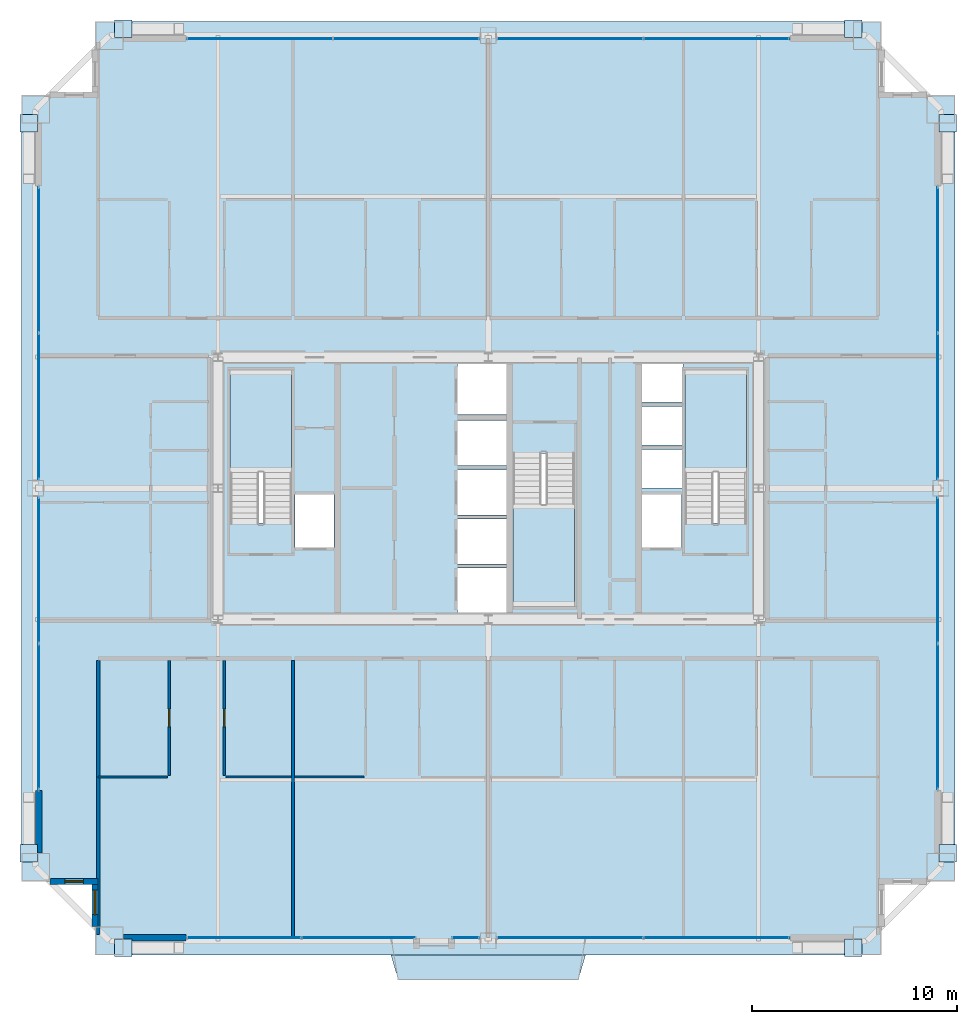
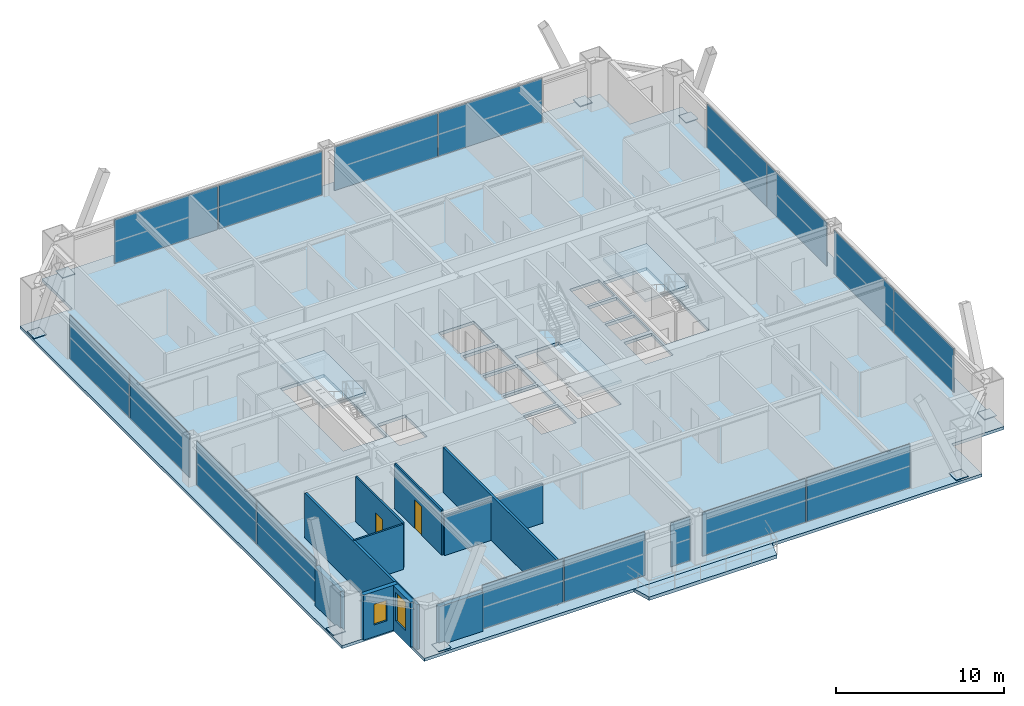
# One storey, part 36 of 42: 25 plates, 11 walls, 5 slabs, 2 doors, 2 windows, 4 openings, 12 elements without a shape of their own.
"""IFC4 building model written with IfcOpenShell, lengths in metres."""

from ifc_helpers import new_model, si_unit, direction, frame, frame_2d, origin, origin_2d, place, context, subcontext, project, spatial, polyline, rectangle, outline, extrude, source, transform, mapped, material, layer, layer_set, type_object, element, fill, aggregate, save


model = new_model("IFC4")

# Units and contexts
model_context = context("Model", 3, precision=1e-05, world=origin(), true_north=direction((0.0, 1.0)))
body_context = subcontext(model_context, "Body", "Model", "MODEL_VIEW")
ifc_project = project(units=[si_unit("LENGTHUNIT", "METRE"), si_unit("AREAUNIT", "SQUARE_METRE"), si_unit("VOLUMEUNIT", "CUBIC_METRE"), si_unit("PLANEANGLEUNIT", "RADIAN"), si_unit("MASSUNIT", "GRAM", prefix="KILO"), si_unit("THERMODYNAMICTEMPERATUREUNIT", "KELVIN"), si_unit("POWERUNIT", "WATT")], contexts=[model_context])

# Site, building, storey
site_placement = place(None, origin())
site = spatial("IfcSite", under=ifc_project, at=site_placement, CompositionType="ELEMENT")
building_placement = place(site_placement, origin())
building = spatial("IfcBuilding", under=site, at=building_placement, Name="Yuzanri Waterfront Tower", CompositionType="ELEMENT")
storey_placement = place(building_placement, frame((0.0, 0.0, 184.5)))
storey = spatial("IfcBuildingStorey", under=building, at=storey_placement, Name="L48", CompositionType="ELEMENT", Elevation=184.5)

# Stair, slab
ifc_material_1 = material(Name="Concrete C40", Category="concrete")
stair_type = type_object("IfcStairType", Name="Concrete C40 Core Dogleg Exit Stair", PredefinedType="HALF_TURN_STAIR", material=ifc_material_1)
stair_1_placement = place(storey_placement, origin())
stair_1 = element("IfcStair", 1, at=stair_1_placement, inside=storey, type_object=stair_type, Name="L48 Smoke-Proof Core Stair ST-01", PredefinedType="HALF_TURN_STAIR")
ifc_material_2 = material(Name="Concrete C40", Category="concrete")
ifc_layer_1 = layer(ifc_material_2, 0.179931640625)
ifc_layer_set_1 = layer_set([ifc_layer_1], Name="Concrete C40")
slab_type_1 = type_object("IfcSlabType", Name="Concrete C40 Stair Half-Landing Slab 180", PredefinedType="LANDING", material=ifc_layer_set_1)
slab_1_placement = place(storey_placement, frame((0.0, 0.0, 1.550048828125)))
slab_1 = element("IfcSlab", 2, at=slab_1_placement, type_object=slab_type_1, Name="ST-01 landing 1", PredefinedType="LANDING", context=body_context, shape_type="SweptSolid", body=[
    extrude(outline(polyline([(27.39990234375, 26.56005859375), (27.39990234375, 31.580078125), (24.39990234375, 31.580078125), (24.39990234375, 26.56005859375), (27.39990234375, 26.56005859375)])), origin(), (0.0, 0.0, 1.0), 0.199951171875),
])
aggregate(stair_1, [slab_1])

stair_2_placement = place(storey_placement, origin())
stair_2 = element("IfcStair", 3, at=stair_2_placement, inside=storey, type_object=stair_type, Name="L48 Smoke-Proof Core Stair ST-02", PredefinedType="HALF_TURN_STAIR")
slab_2_placement = place(storey_placement, frame((0.0, 0.0, 1.550048828125)))
slab_2 = element("IfcSlab", 4, at=slab_2_placement, type_object=slab_type_1, Name="ST-02 landing 1", PredefinedType="LANDING", context=body_context, shape_type="SweptSolid", body=[
    extrude(outline(polyline([(49.60009765625, 26.56005859375), (49.60009765625, 31.580078125), (46.60009765625, 31.580078125), (46.60009765625, 26.56005859375), (49.60009765625, 26.56005859375)])), origin(), (0.0, 0.0, 1.0), 0.199951171875),
])
aggregate(stair_2, [slab_2])

stair_3_placement = place(storey_placement, origin())
stair_3 = element("IfcStair", 5, at=stair_3_placement, inside=storey, type_object=stair_type, Name="L48 Smoke-Proof Core Stair ST-03", PredefinedType="HALF_TURN_STAIR")
slab_3_placement = place(storey_placement, frame((0.0, 0.0, 1.550048828125)))
slab_3 = element("IfcSlab", 6, at=slab_3_placement, type_object=slab_type_1, Name="ST-03 landing 1", PredefinedType="LANDING", context=body_context, shape_type="SweptSolid", body=[
    extrude(outline(polyline([(38.199951171875, 25.0400390625), (38.199951171875, 20.02001953125), (41.199951171875, 20.02001953125), (41.199951171875, 25.0400390625), (38.199951171875, 25.0400390625)])), origin(), (0.0, 0.0, 1.0), 0.199951171875),
])
aggregate(stair_3, [slab_3])

# Slabs
ifc_material_3 = material(Name="Concrete C40", Category="concrete")
ifc_layer_2 = layer(ifc_material_3, 0.25)
ifc_layer_set_2 = layer_set([ifc_layer_2], Name="Concrete C40")
slab_type_2 = type_object("IfcSlabType", Name="Concrete C40 Stepped Gorge Pocket Garden Terrace Slab 250", PredefinedType="FLOOR", material=ifc_layer_set_2)
slab_4_placement = place(storey_placement, frame((0.0, 0.0, -0.25)))
element("IfcSlab", 7, at=slab_4_placement, inside=storey, type_object=slab_type_2, Name="L48 S Cantilevered Engawa Terrace Slab", PredefinedType="FLOOR", context=body_context, shape_type="SweptSolid", body=[
    extrude(outline(polyline([(32.2509765625, 3.0), (41.7490234375, 3.0), (41.39892578125, 1.81201171875), (32.60107421875, 1.81201171875), (32.2509765625, 3.0)])), origin(), (0.0, 0.0, 1.0), 0.25),
])
ifc_material_4 = material(Name="Concrete C40", Category="concrete")
ifc_layer_3 = layer(ifc_material_4, 0.219970703125)
ifc_layer_set_3 = layer_set([ifc_layer_3], Name="Concrete C40")
slab_type_3 = type_object("IfcSlabType", Name="Concrete C40 Tower Typical Structural Floor Slab 220", PredefinedType="FLOOR", material=ifc_layer_set_3)
slab_5_placement = place(storey_placement, frame((0.0, 0.0, -0.219970703125)))
element("IfcSlab", 8, at=slab_5_placement, inside=storey, type_object=slab_type_3, Name="L48 Main Structural Floor Slab", PredefinedType="FLOOR", context=body_context, shape_type="SweptSolid", body=[
    extrude(outline(polyline([(17.800048828125, 3.0), (56.199951171875, 3.0), (56.199951171875, 6.60009765625), (59.800048828125, 6.60009765625), (59.800048828125, 45.0), (56.199951171875, 45.0), (56.199951171875, 48.60009765625), (17.800048828125, 48.60009765625), (17.800048828125, 45.0), (14.199951171875, 45.0), (14.199951171875, 6.60009765625), (17.800048828125, 6.60009765625), (17.800048828125, 3.0)]), holes=[polyline([(27.39990234375, 24.10009765625), (27.39990234375, 31.580078125), (24.39990234375, 31.580078125), (24.39990234375, 24.10009765625), (27.39990234375, 24.10009765625)]), polyline([(49.60009765625, 24.10009765625), (49.60009765625, 31.580078125), (46.60009765625, 31.580078125), (46.60009765625, 24.10009765625), (49.60009765625, 24.10009765625)]), polyline([(38.199951171875, 27.5), (38.199951171875, 20.02001953125), (41.199951171875, 20.02001953125), (41.199951171875, 27.5), (38.199951171875, 27.5)]), polyline([(27.56005859375, 22.89990234375), (29.47998046875, 22.89990234375), (29.47998046875, 25.5), (27.56005859375, 25.5), (27.56005859375, 22.89990234375)]), polyline([(44.52001953125, 22.89990234375), (46.43994140625, 22.89990234375), (46.43994140625, 25.5), (44.52001953125, 25.5), (44.52001953125, 22.89990234375)]), polyline([(35.5, 19.699951171875), (37.89990234375, 19.699951171875), (37.89990234375, 21.89990234375), (35.5, 21.89990234375), (35.5, 19.699951171875)]), polyline([(35.5, 22.10009765625), (37.89990234375, 22.10009765625), (37.89990234375, 24.300048828125), (35.5, 24.300048828125), (35.5, 22.10009765625)]), polyline([(35.5, 24.5), (37.89990234375, 24.5), (37.89990234375, 26.699951171875), (35.5, 26.699951171875), (35.5, 24.5)]), polyline([(35.5, 26.89990234375), (37.89990234375, 26.89990234375), (37.89990234375, 29.10009765625), (35.5, 29.10009765625), (35.5, 26.89990234375)]), polyline([(35.5, 29.39990234375), (37.89990234375, 29.39990234375), (37.89990234375, 31.89990234375), (35.5, 31.89990234375), (35.5, 29.39990234375)]), polyline([(44.5, 25.800048828125), (46.5, 25.800048828125), (46.5, 27.699951171875), (44.5, 27.699951171875), (44.5, 25.800048828125)]), polyline([(44.5, 27.89990234375), (46.5, 27.89990234375), (46.5, 29.800048828125), (44.5, 29.800048828125), (44.5, 27.89990234375)]), polyline([(44.5, 30.0), (46.5, 30.0), (46.5, 31.89990234375), (44.5, 31.89990234375), (44.5, 30.0)])]), origin(), (0.0, 0.0, 1.0), 0.219970703125),
])

# Plates
ifc_material_5 = material(Name="Steel Q420GJC", Category="steel")
ifc_layer_4 = layer(ifc_material_5, 0.0400390625)
ifc_layer_set_4 = layer_set([ifc_layer_4], Name="Steel Q420GJC")
plate_type_1 = type_object("IfcPlateType", Name="Steel Q420GJC Mega-Brace Gusset and End-Cap Plate 40", PredefinedType="SHEET", material=ifc_layer_set_4)
shared_shape_1 = source(origin(), body_context, "Body", "SweptSolid", [
    extrude(rectangle(XDim=0.85009765625, YDim=0.85009765625, at=origin_2d()), origin(), (0.0, 0.0, 1.0), 0.0400390625),
])
for number, where, z_axis, x_axis, name in (
    (9, (19.179931640625, 3.360107421875, 0.159912109375), (0.0, 0.0, 1.0), (1.0, 0.0, 0.0), "L48 Mega-Brace Foot Cap Plate S-L"),
    (10, (54.820068359375, 3.360107421875, 0.159912109375), (0.0, 0.0, 1.0), (1.0, 0.0, 0.0), "L48 Mega-Brace Foot Cap Plate S-R"),
    (11, (19.179931640625, 48.239990234375, 0.159912109375), (0.0, 0.0, 1.0), (1.0, 0.0, 0.0), "L48 Mega-Brace Foot Cap Plate N-L"),
    (12, (54.820068359375, 48.239990234375, 0.159912109375), (0.0, 0.0, 1.0), (1.0, 0.0, 0.0), "L48 Mega-Brace Foot Cap Plate N-R"),
    (13, (14.56005859375, 7.97998046875, 0.159912109375), (0.0, 0.0, 1.0), (1.0, 0.0, 0.0), "L48 Mega-Brace Foot Cap Plate W-L"),
    (14, (14.56005859375, 43.6201171875, 0.159912109375), (0.0, 0.0, 1.0), (1.0, 0.0, 0.0), "L48 Mega-Brace Foot Cap Plate W-R"),
    (15, (59.43994140625, 7.97998046875, 0.159912109375), (0.0, 0.0, 1.0), (1.0, 0.0, 0.0), "L48 Mega-Brace Foot Cap Plate E-L"),
    (16, (59.43994140625, 43.6201171875, 0.159912109375), (0.0, 0.0, 1.0), (1.0, 0.0, 0.0), "L48 Mega-Brace Foot Cap Plate E-R"),
):
    element("IfcPlate", number, at=place(storey_placement, frame(where, z_axis=z_axis, x_axis=x_axis)), inside=storey, type_object=plate_type_1, Name=name, PredefinedType="SHEET", context=body_context, shape_type="MappedRepresentation", body=[
        mapped(shared_shape_1, transform((0.0, 0.0, 0.0), scale=1.0)),
    ])

# Curtain wall, plates
ifc_material_6 = material(Name="Anodized Architectural Bronze", Category="metal")
ifc_layer_5 = layer(ifc_material_6, 0.159912109375)
ifc_layer_set_5 = layer_set([ifc_layer_5], Name="Anodized Architectural Bronze")
curtain_wall_type = type_object("IfcCurtainWallType", Name="Anodized Bronze Mid-Rise Residential Acoustic Unitized Curtain Wall 7200", PredefinedType="NOTDEFINED", material=ifc_layer_set_5)
curtain_wall_1_placement = place(storey_placement, origin())
curtain_wall_1 = element("IfcCurtainWall", 17, at=curtain_wall_1_placement, inside=storey, type_object=curtain_wall_type, Name="L48 Curtain Wall CW-L48-SR", PredefinedType="NOTDEFINED")
ifc_material_7 = material(Name="Triple Low-E Laminated Insulated Glass", Category="glass")
ifc_layer_6 = layer(ifc_material_7, 0.0439453125)
ifc_layer_set_6 = layer_set([ifc_layer_6], Name="Triple Low-E Laminated Insulated Glass")
plate_type_2 = type_object("IfcPlateType", Name="Triple Glazed Acoustic Vision Glass Panel 44", PredefinedType="CURTAIN_PANEL", material=ifc_layer_set_6)
shared_shape_2 = source(origin(), body_context, "Body", "SweptSolid", [
    extrude(rectangle(XDim=7.094970703125, YDim=0.0439453125, at=origin_2d()), origin(), (0.0, 0.0, 1.0), 3.179931640625),
])
plate_1_placement = place(storey_placement, frame((40.987548828125, 3.85009765625, 0.0498046875), z_axis=(0.0, 0.0, 1.0), x_axis=(1.0, 0.0, 0.0)))
plate_1 = element("IfcPlate", 18, at=plate_1_placement, type_object=plate_type_2, Name="CW-L48-SR Vision Glass Panel 01", PredefinedType="CURTAIN_PANEL", context=body_context, shape_type="MappedRepresentation", body=[
    mapped(shared_shape_2, transform((0.0, 0.0, 0.0), scale=1.0)),
])
plate_2_placement = place(storey_placement, frame((48.16259765625, 3.85009765625, 0.0498046875), z_axis=(0.0, 0.0, 1.0), x_axis=(1.0, 0.0, 0.0)))
plate_2 = element("IfcPlate", 19, at=plate_2_placement, type_object=plate_type_2, Name="CW-L48-SR Vision Glass Panel 02", PredefinedType="CURTAIN_PANEL", context=body_context, shape_type="MappedRepresentation", body=[
    mapped(shared_shape_2, transform((0.0, 0.0, 0.0), scale=1.0)),
])
aggregate(curtain_wall_1, [plate_1, plate_2])

curtain_wall_2_placement = place(storey_placement, origin())
curtain_wall_2 = element("IfcCurtainWall", 20, at=curtain_wall_2_placement, inside=storey, type_object=curtain_wall_type, Name="L48 Curtain Wall CW-L48-NL", PredefinedType="NOTDEFINED")
plate_3_placement = place(storey_placement, frame((25.83740234375, 47.75, 0.0498046875), z_axis=(0.0, 0.0, 1.0), x_axis=(1.0, 0.0, 0.0)))
plate_3 = element("IfcPlate", 21, at=plate_3_placement, type_object=plate_type_2, Name="CW-L48-NL Vision Glass Panel 01", PredefinedType="CURTAIN_PANEL", context=body_context, shape_type="MappedRepresentation", body=[
    mapped(shared_shape_2, transform((0.0, 0.0, 0.0), scale=1.0)),
])
plate_4_placement = place(storey_placement, frame((33.012451171875, 47.75, 0.0498046875), z_axis=(0.0, 0.0, 1.0), x_axis=(1.0, 0.0, 0.0)))
plate_4 = element("IfcPlate", 22, at=plate_4_placement, type_object=plate_type_2, Name="CW-L48-NL Vision Glass Panel 02", PredefinedType="CURTAIN_PANEL", context=body_context, shape_type="MappedRepresentation", body=[
    mapped(shared_shape_2, transform((0.0, 0.0, 0.0), scale=1.0)),
])
aggregate(curtain_wall_2, [plate_3, plate_4])

curtain_wall_3_placement = place(storey_placement, origin())
curtain_wall_3 = element("IfcCurtainWall", 23, at=curtain_wall_3_placement, inside=storey, type_object=curtain_wall_type, Name="L48 Curtain Wall CW-L48-NR", PredefinedType="NOTDEFINED")
plate_5_placement = place(storey_placement, frame((40.987548828125, 47.75, 0.0498046875), z_axis=(0.0, 0.0, 1.0), x_axis=(1.0, 0.0, 0.0)))
plate_5 = element("IfcPlate", 24, at=plate_5_placement, type_object=plate_type_2, Name="CW-L48-NR Vision Glass Panel 01", PredefinedType="CURTAIN_PANEL", context=body_context, shape_type="MappedRepresentation", body=[
    mapped(shared_shape_2, transform((0.0, 0.0, 0.0), scale=1.0)),
])
plate_6_placement = place(storey_placement, frame((48.16259765625, 47.75, 0.0498046875), z_axis=(0.0, 0.0, 1.0), x_axis=(1.0, 0.0, 0.0)))
plate_6 = element("IfcPlate", 25, at=plate_6_placement, type_object=plate_type_2, Name="CW-L48-NR Vision Glass Panel 02", PredefinedType="CURTAIN_PANEL", context=body_context, shape_type="MappedRepresentation", body=[
    mapped(shared_shape_2, transform((0.0, 0.0, 0.0), scale=1.0)),
])
aggregate(curtain_wall_3, [plate_5, plate_6])

curtain_wall_4_placement = place(storey_placement, origin())
curtain_wall_4 = element("IfcCurtainWall", 26, at=curtain_wall_4_placement, inside=storey, type_object=curtain_wall_type, Name="L48 Curtain Wall CW-L48-WL", PredefinedType="NOTDEFINED")
plate_7_placement = place(storey_placement, frame((15.050048828125, 14.637451171875, 0.0498046875), z_axis=(0.0, 0.0, 1.0), x_axis=(0.0, 1.0, 0.0)))
plate_7 = element("IfcPlate", 27, at=plate_7_placement, type_object=plate_type_2, Name="CW-L48-WL Vision Glass Panel 01", PredefinedType="CURTAIN_PANEL", context=body_context, shape_type="MappedRepresentation", body=[
    mapped(shared_shape_2, transform((0.0, 0.0, 0.0), scale=1.0)),
])
plate_8_placement = place(storey_placement, frame((15.050048828125, 21.8125, 0.0498046875), z_axis=(0.0, 0.0, 1.0), x_axis=(0.0, 1.0, 0.0)))
plate_8 = element("IfcPlate", 28, at=plate_8_placement, type_object=plate_type_2, Name="CW-L48-WL Vision Glass Panel 02", PredefinedType="CURTAIN_PANEL", context=body_context, shape_type="MappedRepresentation", body=[
    mapped(shared_shape_2, transform((0.0, 0.0, 0.0), scale=1.0)),
])
aggregate(curtain_wall_4, [plate_7, plate_8])

curtain_wall_5_placement = place(storey_placement, origin())
curtain_wall_5 = element("IfcCurtainWall", 29, at=curtain_wall_5_placement, inside=storey, type_object=curtain_wall_type, Name="L48 Curtain Wall CW-L48-WR", PredefinedType="NOTDEFINED")
plate_9_placement = place(storey_placement, frame((15.050048828125, 29.78759765625, 0.0498046875), z_axis=(0.0, 0.0, 1.0), x_axis=(0.0, 1.0, 0.0)))
plate_9 = element("IfcPlate", 30, at=plate_9_placement, type_object=plate_type_2, Name="CW-L48-WR Vision Glass Panel 01", PredefinedType="CURTAIN_PANEL", context=body_context, shape_type="MappedRepresentation", body=[
    mapped(shared_shape_2, transform((0.0, 0.0, 0.0), scale=1.0)),
])
plate_10_placement = place(storey_placement, frame((15.050048828125, 36.96240234375, 0.0498046875), z_axis=(0.0, 0.0, 1.0), x_axis=(0.0, 1.0, 0.0)))
plate_10 = element("IfcPlate", 31, at=plate_10_placement, type_object=plate_type_2, Name="CW-L48-WR Vision Glass Panel 02", PredefinedType="CURTAIN_PANEL", context=body_context, shape_type="MappedRepresentation", body=[
    mapped(shared_shape_2, transform((0.0, 0.0, 0.0), scale=1.0)),
])
aggregate(curtain_wall_5, [plate_9, plate_10])

curtain_wall_6_placement = place(storey_placement, origin())
curtain_wall_6 = element("IfcCurtainWall", 32, at=curtain_wall_6_placement, inside=storey, type_object=curtain_wall_type, Name="L48 Curtain Wall CW-L48-EL", PredefinedType="NOTDEFINED")
plate_11_placement = place(storey_placement, frame((58.949951171875, 14.637451171875, 0.0498046875), z_axis=(0.0, 0.0, 1.0), x_axis=(0.0, 1.0, 0.0)))
plate_11 = element("IfcPlate", 33, at=plate_11_placement, type_object=plate_type_2, Name="CW-L48-EL Vision Glass Panel 01", PredefinedType="CURTAIN_PANEL", context=body_context, shape_type="MappedRepresentation", body=[
    mapped(shared_shape_2, transform((0.0, 0.0, 0.0), scale=1.0)),
])
plate_12_placement = place(storey_placement, frame((58.949951171875, 21.8125, 0.0498046875), z_axis=(0.0, 0.0, 1.0), x_axis=(0.0, 1.0, 0.0)))
plate_12 = element("IfcPlate", 34, at=plate_12_placement, type_object=plate_type_2, Name="CW-L48-EL Vision Glass Panel 02", PredefinedType="CURTAIN_PANEL", context=body_context, shape_type="MappedRepresentation", body=[
    mapped(shared_shape_2, transform((0.0, 0.0, 0.0), scale=1.0)),
])
aggregate(curtain_wall_6, [plate_11, plate_12])

curtain_wall_7_placement = place(storey_placement, origin())
curtain_wall_7 = element("IfcCurtainWall", 35, at=curtain_wall_7_placement, inside=storey, type_object=curtain_wall_type, Name="L48 Curtain Wall CW-L48-ER", PredefinedType="NOTDEFINED")
plate_13_placement = place(storey_placement, frame((58.949951171875, 29.78759765625, 0.0498046875), z_axis=(0.0, 0.0, 1.0), x_axis=(0.0, 1.0, 0.0)))
plate_13 = element("IfcPlate", 36, at=plate_13_placement, type_object=plate_type_2, Name="CW-L48-ER Vision Glass Panel 01", PredefinedType="CURTAIN_PANEL", context=body_context, shape_type="MappedRepresentation", body=[
    mapped(shared_shape_2, transform((0.0, 0.0, 0.0), scale=1.0)),
])
plate_14_placement = place(storey_placement, frame((58.949951171875, 36.96240234375, 0.0498046875), z_axis=(0.0, 0.0, 1.0), x_axis=(0.0, 1.0, 0.0)))
plate_14 = element("IfcPlate", 37, at=plate_14_placement, type_object=plate_type_2, Name="CW-L48-ER Vision Glass Panel 02", PredefinedType="CURTAIN_PANEL", context=body_context, shape_type="MappedRepresentation", body=[
    mapped(shared_shape_2, transform((0.0, 0.0, 0.0), scale=1.0)),
])
aggregate(curtain_wall_7, [plate_13, plate_14])

curtain_wall_8_placement = place(storey_placement, origin())
curtain_wall_8 = element("IfcCurtainWall", 38, at=curtain_wall_8_placement, inside=storey, type_object=curtain_wall_type, Name="L48 Curtain Wall CW-L48-SL1", PredefinedType="NOTDEFINED")
shared_shape_3 = source(origin(), body_context, "Body", "SweptSolid", [
    extrude(rectangle(XDim=5.544921875, YDim=0.0439453125, at=origin_2d()), origin(), (0.0, 0.0, 1.0), 3.179931640625),
])
plate_15_placement = place(storey_placement, frame((25.0625, 3.85009765625, 0.0498046875), z_axis=(0.0, 0.0, 1.0), x_axis=(1.0, 0.0, 0.0)))
plate_15 = element("IfcPlate", 39, at=plate_15_placement, type_object=plate_type_2, Name="CW-L48-SL1 Vision Glass Panel 01", PredefinedType="CURTAIN_PANEL", context=body_context, shape_type="MappedRepresentation", body=[
    mapped(shared_shape_3, transform((0.0, 0.0, 0.0), scale=1.0)),
])
plate_16_placement = place(storey_placement, frame((30.6875, 3.85009765625, 0.0498046875), z_axis=(0.0, 0.0, 1.0), x_axis=(1.0, 0.0, 0.0)))
plate_16 = element("IfcPlate", 40, at=plate_16_placement, type_object=plate_type_2, Name="CW-L48-SL1 Vision Glass Panel 02", PredefinedType="CURTAIN_PANEL", context=body_context, shape_type="MappedRepresentation", body=[
    mapped(shared_shape_3, transform((0.0, 0.0, 0.0), scale=1.0)),
])
aggregate(curtain_wall_8, [plate_15, plate_16])

# Curtain wall, plate
curtain_wall_9_placement = place(storey_placement, origin())
curtain_wall_9 = element("IfcCurtainWall", 41, at=curtain_wall_9_placement, inside=storey, type_object=curtain_wall_type, Name="L48 Curtain Wall CW-L48-SL2", PredefinedType="NOTDEFINED")
shared_shape_4 = source(origin(), body_context, "Body", "SweptSolid", [
    extrude(rectangle(XDim=1.320068359375, YDim=0.0439453125, at=origin_2d()), origin(), (0.0, 0.0, 1.0), 3.179931640625),
])
plate_17_placement = place(storey_placement, frame((35.89990234375, 3.85009765625, 0.0498046875), z_axis=(0.0, 0.0, 1.0), x_axis=(1.0, 0.0, 0.0)))
plate_17 = element("IfcPlate", 42, at=plate_17_placement, type_object=plate_type_2, Name="CW-L48-SL2 Vision Glass Panel 01", PredefinedType="CURTAIN_PANEL", context=body_context, shape_type="MappedRepresentation", body=[
    mapped(shared_shape_4, transform((0.0, 0.0, 0.0), scale=1.0)),
])
aggregate(curtain_wall_9, [plate_17])

# Wall, opening, door
ifc_material_8 = material(Name="Moisture-Resistant Gypsum Stud Wall", Category="gypsum")
ifc_layer_7 = layer(ifc_material_8, 0.1201171875)
ifc_layer_set_7 = layer_set([ifc_layer_7], Name="Moisture-Resistant Gypsum Stud Wall")
wall_type_1 = type_object("IfcWallType", Name="Bathroom and Kitchen Wet Partition 120", PredefinedType="PARTITIONING", material=ifc_layer_set_7)
wall_1_placement = place(storey_placement, frame((21.419921875, 11.780029296875, 0.0), z_axis=(0.0, 0.0, 1.0), x_axis=(0.0, 1.0, 0.0)))
wall_1 = element("IfcWall", 43, at=wall_1_placement, inside=storey, type_object=wall_type_1, Name="L48 Partition UW-L48-RS1-SUB-1-E", PredefinedType="PARTITIONING", context=body_context, shape_type="SweptSolid", body=[
    extrude(rectangle(XDim=5.60986328125, YDim=0.1201171875, at=frame_2d((2.804931640625, 0.0))), origin(), (0.0, 0.0, 1.0), 3.280029296875),
])
opening_1_placement = place(wall_1_placement, frame((2.3798828125, 0.0, 0.0)))
opening_1 = element("IfcOpeningElement", 44, at=opening_1_placement, cuts=wall_1, Name="Opening ID-0850", PredefinedType="OPENING", context=body_context, shape_type="SweptSolid", body=[
    extrude(rectangle(XDim=0.85009765625, YDim=2.10009765625, at=frame_2d((0.425048828125, 1.050048828125))), frame((0.0, 0.074951171875, 0.0), z_axis=(0.0, -1.0, 0.0), x_axis=(1.0, 0.0, 0.0)), (0.0, 0.0, 1.0), 0.14990234375),
])
ifc_material_9 = material(Name="Moisture-Resistant Lacquered Timber", Category="wood")
door_type = type_object("IfcDoorType", Name="En-Suite Bathroom and Kitchen Swing Door 850x2100", OperationType="NOTDEFINED", PredefinedType="DOOR", material=ifc_material_9)
shared_shape_5 = source(origin(), body_context, "Body", "SweptSolid", [
    extrude(rectangle(XDim=0.85009765625, YDim=2.10009765625, at=frame_2d((0.425048828125, 1.050048828125))), frame((0.0, 0.02490234375, 0.0), z_axis=(0.0, -1.0, 0.0), x_axis=(1.0, 0.0, 0.0)), (0.0, 0.0, 1.0), 0.050048828125),
])
door_1_placement = place(opening_1_placement, origin())
door_1 = element("IfcDoor", 45, at=door_1_placement, inside=storey, type_object=door_type, Name="L48 Suite Interior Room Door", OperationType="SINGLE_SWING_RIGHT", OverallHeight=2.10009765625, OverallWidth=0.85009765625, PredefinedType="DOOR", context=body_context, shape_type="MappedRepresentation", body=[
    mapped(shared_shape_5, transform((0.0, 0.0, 0.0), scale=1.0)),
])
fill(opening_1, door_1)

wall_2_placement = place(storey_placement, frame((24.110107421875, 11.780029296875, 0.0), z_axis=(0.0, 0.0, 1.0), x_axis=(0.0, 1.0, 0.0)))
wall_2 = element("IfcWall", 46, at=wall_2_placement, inside=storey, type_object=wall_type_1, Name="L48 Partition UW-L48-RS1-SUB-2-W", PredefinedType="PARTITIONING", context=body_context, shape_type="SweptSolid", body=[
    extrude(rectangle(XDim=5.60986328125, YDim=0.1201171875, at=frame_2d((2.804931640625, 0.0))), origin(), (0.0, 0.0, 1.0), 3.280029296875),
])
opening_2_placement = place(wall_2_placement, frame((2.3798828125, 0.0, 0.0)))
opening_2 = element("IfcOpeningElement", 47, at=opening_2_placement, cuts=wall_2, Name="Opening ID-0850", PredefinedType="OPENING", context=body_context, shape_type="SweptSolid", body=[
    extrude(rectangle(XDim=0.85009765625, YDim=2.10009765625, at=frame_2d((0.425048828125, 1.050048828125))), frame((0.0, 0.074951171875, 0.0), z_axis=(0.0, -1.0, 0.0), x_axis=(1.0, 0.0, 0.0)), (0.0, 0.0, 1.0), 0.14990234375),
])
door_2_placement = place(opening_2_placement, origin())
door_2 = element("IfcDoor", 48, at=door_2_placement, inside=storey, type_object=door_type, Name="L48 Suite Interior Room Door", OperationType="SINGLE_SWING_LEFT", OverallHeight=2.10009765625, OverallWidth=0.85009765625, PredefinedType="DOOR", context=body_context, shape_type="MappedRepresentation", body=[
    mapped(shared_shape_5, transform((0.0, 0.0, 0.0), scale=1.0)),
])
fill(opening_2, door_2)

# Wall, opening, window
ifc_material_10 = material(Name="Honed Chongqing Dark Basalt Stone", Category="masonry")
ifc_layer_8 = layer(ifc_material_10, 0.300048828125)
ifc_layer_set_8 = layer_set([ifc_layer_8], Name="Honed Chongqing Dark Basalt Stone")
wall_type_2 = type_object("IfcWallType", Name="Bronze Rainscreen Insulated Spandrel Portal Wall 300", PredefinedType="SOLIDWALL", material=ifc_layer_set_8)
wall_3_placement = place(storey_placement, frame((15.60009765625, 6.60009765625, 0.0), z_axis=(0.0, 0.0, 1.0), x_axis=(1.0, 0.0, 0.0)))
wall_3 = element("IfcWall", 49, at=wall_3_placement, inside=storey, type_object=wall_type_2, Name="L48 Notched Corner Masonry Wall SW-X", PredefinedType="SOLIDWALL", context=body_context, shape_type="SweptSolid", body=[
    extrude(rectangle(XDim=2.349853515625, YDim=0.300048828125, at=frame_2d((1.1748046875, 0.0))), origin(), (0.0, 0.0, 1.0), 3.280029296875),
])
opening_3_placement = place(wall_3_placement, frame((0.72509765625, 0.0, 0.85009765625)))
opening_3 = element("IfcOpeningElement", 50, at=opening_3_placement, cuts=wall_3, Name="Opening WN-05", PredefinedType="OPENING", context=body_context, shape_type="SweptSolid", body=[
    extrude(rectangle(XDim=0.89990234375, YDim=1.5, at=frame_2d((0.449951171875, 0.75))), frame((0.0, 0.1650390625, 0.0), z_axis=(0.0, -1.0, 0.0), x_axis=(1.0, 0.0, 0.0)), (0.0, 0.0, 1.0), 0.329833984375),
])
ifc_material_11 = material(Name="Double-Silver Low-E Insulated Glass", Category="glass")
window_type_1 = type_object("IfcWindowType", Name="Anodized Bronze Service and Stairwell Smoke-Vent Window 900x1500", PartitioningType="SINGLE_PANEL", PredefinedType="WINDOW", material=ifc_material_11)
shared_shape_6 = source(origin(), body_context, "Body", "SweptSolid", [
    extrude(rectangle(XDim=0.89990234375, YDim=1.5, at=frame_2d((0.449951171875, 0.75))), frame((0.0, 0.030029296875, 0.0), z_axis=(0.0, -1.0, 0.0), x_axis=(1.0, 0.0, 0.0)), (0.0, 0.0, 1.0), 0.06005859375),
])
window_1_placement = place(opening_3_placement, origin())
window_1 = element("IfcWindow", 51, at=window_1_placement, inside=storey, type_object=window_type_1, Name="L48 Notched Corner Window SW-X", OverallHeight=1.5, OverallWidth=0.89990234375, PartitioningType="SINGLE_PANEL", PredefinedType="WINDOW", context=body_context, shape_type="MappedRepresentation", body=[
    mapped(shared_shape_6, transform((0.0, 0.0, 0.0), scale=1.0)),
])
fill(opening_3, window_1)

wall_4_placement = place(storey_placement, frame((17.800048828125, 6.75, 0.0), z_axis=(0.0, 0.0, 1.0), x_axis=(0.0, -1.0, 0.0)))
wall_4 = element("IfcWall", 52, at=wall_4_placement, inside=storey, type_object=wall_type_2, Name="L48 Notched Corner Masonry Wall SW-Y", PredefinedType="SOLIDWALL", context=body_context, shape_type="SweptSolid", body=[
    extrude(rectangle(XDim=2.35009765625, YDim=0.300048828125, at=frame_2d((1.175048828125, 0.0))), origin(), (0.0, 0.0, 1.0), 3.280029296875),
])
opening_4_placement = place(wall_4_placement, frame((0.574951171875, 0.0, 0.85009765625)))
opening_4 = element("IfcOpeningElement", 53, at=opening_4_placement, cuts=wall_4, Name="Opening WN-02", PredefinedType="OPENING", context=body_context, shape_type="SweptSolid", body=[
    extrude(rectangle(XDim=1.199951171875, YDim=2.10009765625, at=frame_2d((0.60009765625, 1.050048828125))), frame((0.0, 0.1650390625, 0.0), z_axis=(0.0, -1.0, 0.0), x_axis=(1.0, 0.0, 0.0)), (0.0, 0.0, 1.0), 0.329833984375),
])
ifc_material_12 = material(Name="Double-Silver Low-E Insulated Glass", Category="glass")
window_type_2 = type_object("IfcWindowType", Name="Anodized Bronze Notched Corner Deep-Set Slot Window 1200x2100", PartitioningType="SINGLE_PANEL", PredefinedType="WINDOW", material=ifc_material_12)
shared_shape_7 = source(origin(), body_context, "Body", "SweptSolid", [
    extrude(rectangle(XDim=1.199951171875, YDim=2.10009765625, at=frame_2d((0.60009765625, 1.050048828125))), frame((0.0, 0.030029296875, 0.0), z_axis=(0.0, -1.0, 0.0), x_axis=(1.0, 0.0, 0.0)), (0.0, 0.0, 1.0), 0.06005859375),
])
window_2_placement = place(opening_4_placement, origin())
window_2 = element("IfcWindow", 54, at=window_2_placement, inside=storey, type_object=window_type_2, Name="L48 Notched Corner Window SW-Y", OverallHeight=2.10009765625, OverallWidth=1.199951171875, PartitioningType="SINGLE_PANEL", PredefinedType="WINDOW", context=body_context, shape_type="MappedRepresentation", body=[
    mapped(shared_shape_7, transform((0.0, 0.0, 0.0), scale=1.0)),
])
fill(opening_4, window_2)

# Walls
shared_shape_8 = source(origin(), body_context, "Body", "SweptSolid", [
    extrude(rectangle(XDim=3.050048828125, YDim=0.300048828125, at=frame_2d((1.52490234375, 0.0))), origin(), (0.0, 0.0, 1.0), 2.8349609375),
])
for number, where, z_axis, x_axis, name in (
    (55, (19.199951171875, 3.85009765625, 0.0), (0.0, 0.0, 1.0), (1.0, 0.0, 0.0), "L48 S Left Braced Masonry Shoulder"),
    (56, (15.050048828125, 8.0, 0.0), (0.0, 0.0, 1.0), (0.0, 1.0, 0.0), "L48 W Left Braced Masonry Shoulder"),
):
    element("IfcWall", number, at=place(storey_placement, frame(where, z_axis=z_axis, x_axis=x_axis)), inside=storey, type_object=wall_type_2, Name=name, PredefinedType="SOLIDWALL", context=body_context, shape_type="MappedRepresentation", body=[
        mapped(shared_shape_8, transform((0.0, 0.0, 0.0), scale=1.0)),
    ])
ifc_material_13 = material(Name="Gypsum Fireboard Acoustic Stud Wall", Category="gypsum")
ifc_layer_9 = layer(ifc_material_13, 0.159912109375)
ifc_layer_set_9 = layer_set([ifc_layer_9], Name="Gypsum Fireboard Acoustic Stud Wall")
wall_type_3 = type_object("IfcWallType", Name="Acoustic Suite Demising Partition 160", PredefinedType="PARTITIONING", material=ifc_layer_set_9)
shared_shape_9 = source(origin(), body_context, "Body", "SweptSolid", [
    extrude(rectangle(XDim=13.539794921875, YDim=0.159912109375, at=frame_2d((6.77001953125, 0.0))), origin(), (0.0, 0.0, 1.0), 3.280029296875),
])
wall_5_placement = place(storey_placement, frame((27.469970703125, 3.85009765625, 0.0), z_axis=(0.0, 0.0, 1.0), x_axis=(0.0, 1.0, 0.0)))
element("IfcWall", 57, at=wall_5_placement, inside=storey, type_object=wall_type_3, Name="L48-RS1 Party Wall", PredefinedType="PARTITIONING", context=body_context, shape_type="MappedRepresentation", body=[
    mapped(shared_shape_9, transform((0.0, 0.0, 0.0), scale=1.0)),
])
shared_shape_10 = source(origin(), body_context, "Body", "SweptSolid", [
    extrude(rectangle(XDim=3.400146484375, YDim=0.1201171875, at=frame_2d((1.7001953125, 0.0))), origin(), (0.0, 0.0, 1.0), 3.280029296875),
])
wall_6_placement = place(storey_placement, frame((17.93994140625, 11.699951171875, 0.0), z_axis=(0.0, 0.0, 1.0), x_axis=(1.0, 0.0, 0.0)))
element("IfcWall", 58, at=wall_6_placement, inside=storey, type_object=wall_type_1, Name="L48 Partition UW-L48-RS1-SUB-1-S", PredefinedType="PARTITIONING", context=body_context, shape_type="MappedRepresentation", body=[
    mapped(shared_shape_10, transform((0.0, 0.0, 0.0), scale=1.0)),
])
shared_shape_11 = source(origin(), body_context, "Body", "SweptSolid", [
    extrude(rectangle(XDim=3.199951171875, YDim=0.1201171875, at=frame_2d((1.60009765625, 0.0))), origin(), (0.0, 0.0, 1.0), 2.875),
])
wall_7_placement = place(storey_placement, frame((24.18994140625, 11.699951171875, 0.0), z_axis=(0.0, 0.0, 1.0), x_axis=(1.0, 0.0, 0.0)))
element("IfcWall", 59, at=wall_7_placement, inside=storey, type_object=wall_type_1, Name="L48 Partition UW-L48-RS1-SUB-2-S", PredefinedType="PARTITIONING", context=body_context, shape_type="MappedRepresentation", body=[
    mapped(shared_shape_11, transform((0.0, 0.0, 0.0), scale=1.0)),
])
shared_shape_12 = source(origin(), body_context, "Body", "SweptSolid", [
    extrude(rectangle(XDim=3.39404296875, YDim=0.1201171875, at=frame_2d((1.697021484375, 0.0))), origin(), (0.0, 0.0, 1.0), 2.875),
])
wall_8_placement = place(storey_placement, frame((27.550048828125, 11.699951171875, 0.0), z_axis=(0.0, 0.0, 1.0), x_axis=(1.0, 0.0, 0.0)))
element("IfcWall", 60, at=wall_8_placement, inside=storey, type_object=wall_type_1, Name="L48 Partition UW-L48-RS2-SUB-1-S", PredefinedType="PARTITIONING", context=body_context, shape_type="MappedRepresentation", body=[
    mapped(shared_shape_12, transform((0.0, 0.0, 0.0), scale=1.0)),
])
shared_shape_13 = source(origin(), body_context, "Body", "SweptSolid", [
    extrude(rectangle(XDim=13.389892578125, YDim=0.159912109375, at=frame_2d((6.69482421875, 0.0))), origin(), (0.0, 0.0, 1.0), 3.280029296875),
])
wall_9_placement = place(storey_placement, frame((17.949951171875, 4.0, 0.0), z_axis=(0.0, 0.0, 1.0), x_axis=(0.0, 1.0, 0.0)))
element("IfcWall", 61, at=wall_9_placement, inside=storey, type_object=wall_type_3, Name="L48 South Band West End Wall", PredefinedType="PARTITIONING", context=body_context, shape_type="MappedRepresentation", body=[
    mapped(shared_shape_13, transform((0.0, 0.0, 0.0), scale=1.0)),
])

save(model, "model.ifc")
